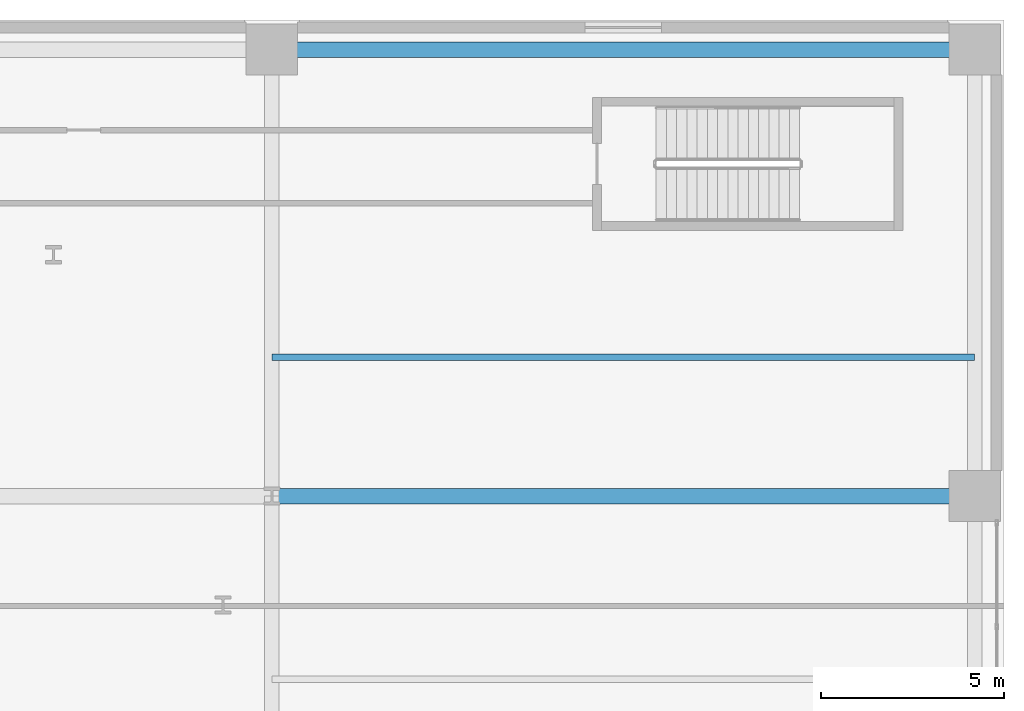
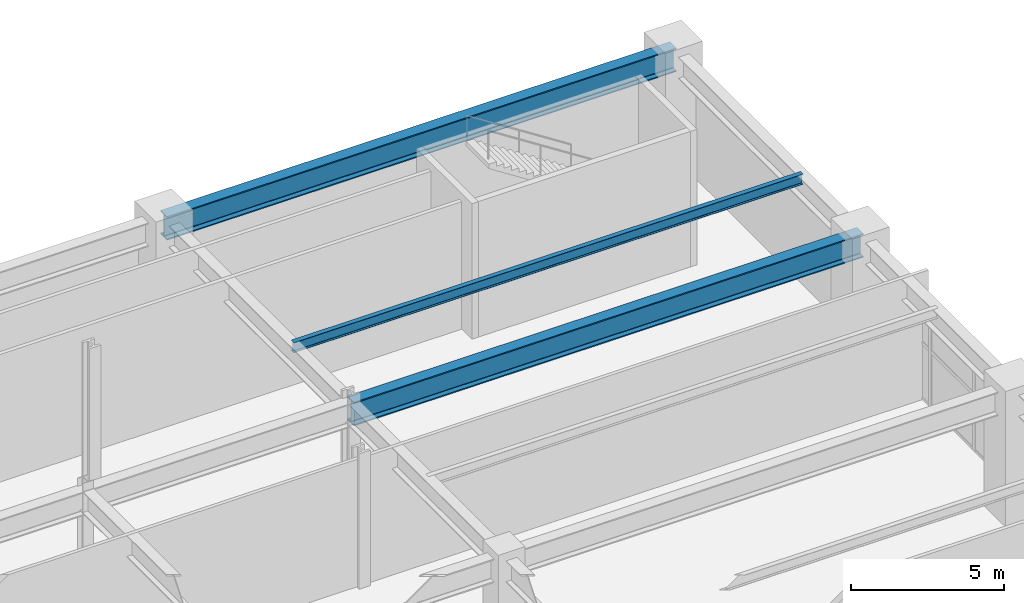
# One storey, part 17 of 28: 3 beams.
"""IFC4 building model written with IfcOpenShell, lengths in metres."""

from ifc_helpers import new_model, si_unit, direction, frame, origin, origin_2d, place, context, subcontext, project, spatial, i_section, extrude, material, material_profile, profile_set, type_object, element, save


model = new_model("IFC4")

# Units and contexts
model_context = context("Model", 3, precision=1e-05, world=origin(), true_north=direction((0.0, 1.0)))
body_context = subcontext(model_context, "Body", "Model", "MODEL_VIEW")
ifc_project = project(units=[si_unit("LENGTHUNIT", "METRE"), si_unit("AREAUNIT", "SQUARE_METRE"), si_unit("VOLUMEUNIT", "CUBIC_METRE"), si_unit("PLANEANGLEUNIT", "RADIAN"), si_unit("MASSUNIT", "GRAM", prefix="KILO")], contexts=[model_context])

# Site, building, storey
site_placement = place(None, origin())
site = spatial("IfcSite", under=ifc_project, at=site_placement, CompositionType="ELEMENT")
building_placement = place(site_placement, origin())
building = spatial("IfcBuilding", under=site, at=building_placement, Name="Soratama Intermodal Tower", CompositionType="ELEMENT")
storey_placement = place(building_placement, frame((0.0, 0.0, 6.0)))
storey = spatial("IfcBuildingStorey", under=building, at=storey_placement, Name="L01", CompositionType="ELEMENT", Elevation=6.0)

# Beams
ifc_material_1 = material(Name="Structural steel ASTM A992 Grade 50", Category="steel")
ifc_material_profile_1 = material_profile(ifc_material_1, i_section(OverallWidth=0.177978515625, OverallDepth=0.406982421875, WebThickness=0.0078125, FlangeThickness=0.0126953125, FilletRadius=0.010009765625, at=origin_2d()), Name="W16X40")
ifc_profile_set_1 = profile_set([ifc_material_profile_1], Name="Structural steel ASTM A992 Grade 50")
beam_type_1 = type_object("IfcBeamType", Name="BM-JST-W16X40", PredefinedType="JOIST", material=ifc_profile_set_1)
beam_1_placement = place(storey_placement, frame((64.0, 38.800048828125, 4.87646484375), z_axis=(1.0, 0.0, 0.0), x_axis=(0.0, 1.0, 0.0)))
element("IfcBeam", 1, at=beam_1_placement, inside=storey, type_object=beam_type_1, Name="JST-L01-E4", PredefinedType="JOIST", context=body_context, shape_type="SweptSolid", body=[
    extrude(i_section(OverallWidth=0.177978515625, OverallDepth=0.406982421875, WebThickness=0.0078125, FlangeThickness=0.0126953125, FilletRadius=0.010009765625, at=origin_2d()), origin(), (0.0, 0.0, 1.0), 19.199951171875),
])
ifc_material_2 = material(Name="Structural steel ASTM A992 Grade 50", Category="steel")
ifc_material_profile_2 = material_profile(ifc_material_2, i_section(OverallWidth=0.423095703125, OverallDepth=0.93896484375, WebThickness=0.02392578125, FlangeThickness=0.042724609375, FilletRadius=0.02392578125, at=origin_2d()), Name="W36X302")
ifc_profile_set_2 = profile_set([ifc_material_profile_2], Name="Structural steel ASTM A992 Grade 50")
beam_type_2 = type_object("IfcBeamType", Name="BM-POD-EXT-W36", PredefinedType="BEAM", material=ifc_profile_set_2)
beam_2_placement = place(storey_placement, frame((64.0, 47.199951171875, 4.610595703125), z_axis=(1.0, 0.0, 0.0), x_axis=(0.0, 1.0, 0.0)))
element("IfcBeam", 2, at=beam_2_placement, inside=storey, type_object=beam_type_2, Name="L01 Station Girder X5-5", PredefinedType="BEAM", context=body_context, shape_type="SweptSolid", body=[
    extrude(i_section(OverallWidth=0.423095703125, OverallDepth=0.93896484375, WebThickness=0.02392578125, FlangeThickness=0.042724609375, FilletRadius=0.02392578125, at=origin_2d()), origin(), (0.0, 0.0, 1.0), 19.199951171875),
])
ifc_material_3 = material(Name="Structural steel ASTM A992 Grade 50", Category="steel")
ifc_material_profile_3 = material_profile(ifc_material_3, i_section(OverallWidth=0.423095703125, OverallDepth=0.93896484375, WebThickness=0.02392578125, FlangeThickness=0.042724609375, FilletRadius=0.02392578125, at=origin_2d()), Name="W36X302")
ifc_profile_set_3 = profile_set([ifc_material_profile_3], Name="Structural steel ASTM A992 Grade 50")
beam_type_3 = type_object("IfcBeamType", Name="BM-POD-W36X302", PredefinedType="BEAM", material=ifc_profile_set_3)
beam_3_placement = place(storey_placement, frame((64.0, 35.0, 4.610595703125), z_axis=(1.0, 0.0, 0.0), x_axis=(0.0, 1.0, 0.0)))
element("IfcBeam", 3, at=beam_3_placement, inside=storey, type_object=beam_type_3, Name="L01 Station Girder X4-5", PredefinedType="BEAM", context=body_context, shape_type="SweptSolid", body=[
    extrude(i_section(OverallWidth=0.423095703125, OverallDepth=0.93896484375, WebThickness=0.02392578125, FlangeThickness=0.042724609375, FilletRadius=0.02392578125, at=origin_2d()), origin(), (0.0, 0.0, 1.0), 19.199951171875),
])

save(model, "model.ifc")
